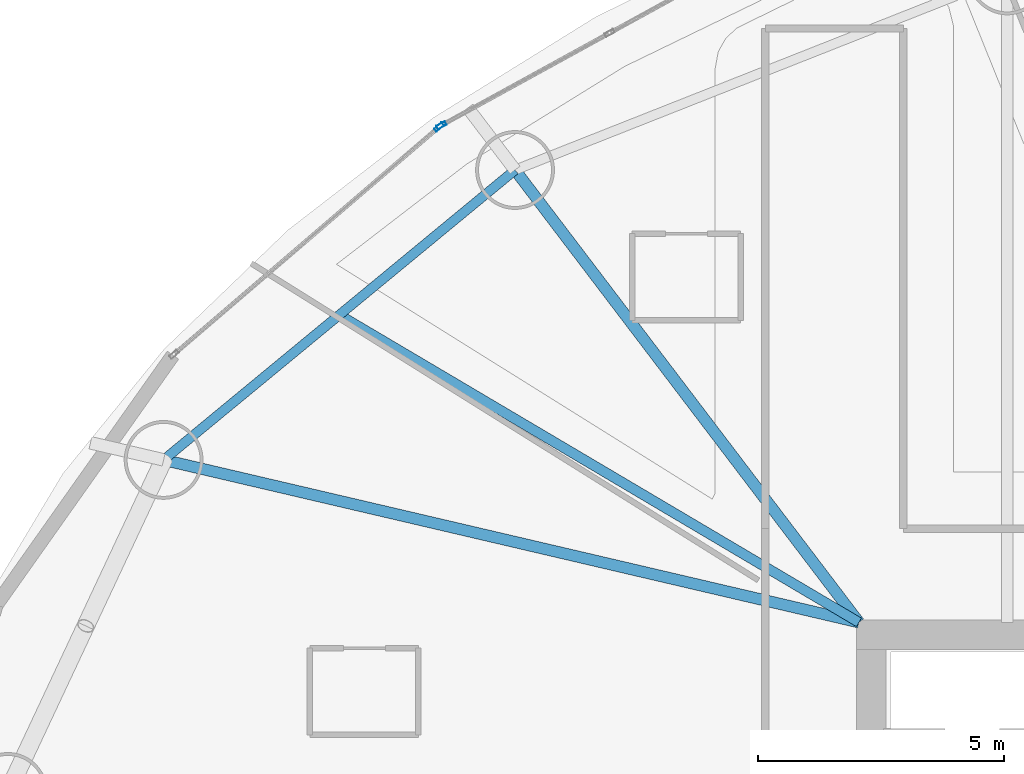
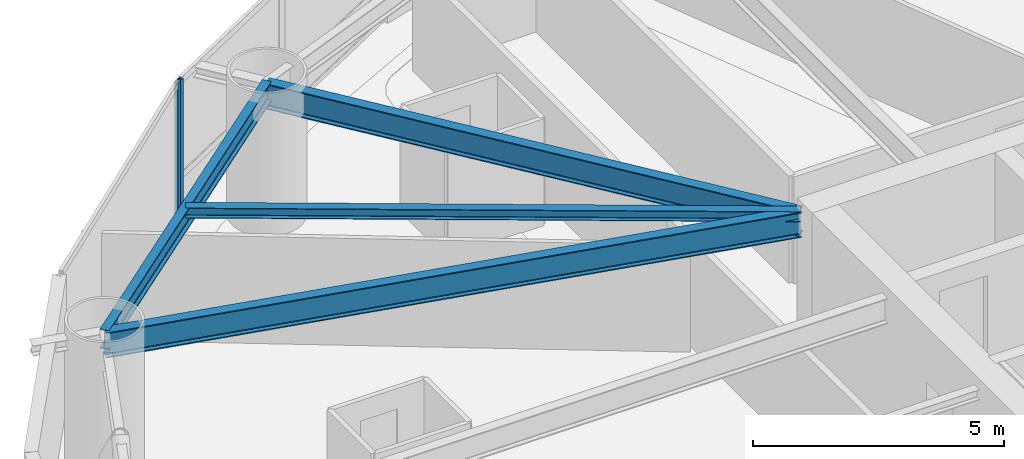
# One storey, part 14 of 25: 4 beams, 2 members, 2 elements without a shape of their own.
"""IFC4 building model written with IfcOpenShell, lengths in metres."""

from ifc_helpers import new_model, si_unit, direction, frame, origin, origin_2d, place, context, subcontext, project, spatial, hollow_rectangle, i_section, extrude, material, layer, layer_set, material_profile, profile_set, type_object, element, aggregate, save


model = new_model("IFC4")

# Units and contexts
model_context = context("Model", 3, precision=1e-05, world=origin(), true_north=direction((0.0, 1.0)))
body_context = subcontext(model_context, "Body", "Model", "MODEL_VIEW")
ifc_project = project(units=[si_unit("LENGTHUNIT", "METRE"), si_unit("AREAUNIT", "SQUARE_METRE"), si_unit("VOLUMEUNIT", "CUBIC_METRE"), si_unit("PLANEANGLEUNIT", "RADIAN"), si_unit("MASSUNIT", "GRAM", prefix="KILO")], contexts=[model_context])

# Site, building, storey
site_placement = place(None, origin())
site = spatial("IfcSite", under=ifc_project, at=site_placement, CompositionType="ELEMENT")
building_placement = place(site_placement, origin())
building = spatial("IfcBuilding", under=site, at=building_placement, Name="Bramvorn Convention Spire", CompositionType="ELEMENT")
storey_placement = place(building_placement, frame((0.0, 0.0, 55.39990234375)))
storey = spatial("IfcBuildingStorey", under=building, at=storey_placement, Name="L11", CompositionType="ELEMENT", Elevation=55.39990234375)

# Beams
ifc_material_1 = material(Name="Steel CSA G40.21 Grade 350 (350W)", Category="steel")
ifc_material_profile_1 = material_profile(ifc_material_1, i_section(OverallWidth=0.201904296875, OverallDepth=0.2470703125, WebThickness=0.00732421875, FlangeThickness=0.010986328125, FilletRadius=0.011962890625, at=origin_2d()))
ifc_profile_set_1 = profile_set([ifc_material_profile_1], Name="Steel CSA G40.21 Grade 350 (350W) - W250X49")
beam_type_1 = type_object("IfcBeamType", Name="BM-W250X49", PredefinedType="JOIST", material=ifc_profile_set_1)
beam_1_placement = place(storey_placement, frame((26.75, 33.449951171875, 3.126708984375), z_axis=(-0.860664556648, 0.509172388223, 0.0), x_axis=(-0.509172388223, -0.860664556648, 0.0)))
element("IfcBeam", 1, at=beam_1_placement, inside=storey, type_object=beam_type_1, Name="L11 composite floor joist 07", PredefinedType="JOIST", context=body_context, shape_type="SweptSolid", body=[
    extrude(i_section(OverallWidth=0.201904296875, OverallDepth=0.2470703125, WebThickness=0.00732421875, FlangeThickness=0.010986328125, FilletRadius=0.011962890625, at=origin_2d()), origin(), (0.0, 0.0, 1.0), 12.25048828125),
])
ifc_material_profile_2 = material_profile(ifc_material_1, i_section(OverallWidth=0.194091796875, OverallDepth=0.468994140625, WebThickness=0.0126953125, FlangeThickness=0.0205078125, FilletRadius=0.01806640625, at=origin_2d()))
ifc_profile_set_2 = profile_set([ifc_material_profile_2], Name="Steel CSA G40.21 Grade 350 (350W) - W460X106")
beam_type_2 = type_object("IfcBeamType", Name="BM-W460X106", PredefinedType="SPANDREL", material=ifc_profile_set_2)
beam_2_placement = place(storey_placement, frame((19.772216796875, 42.628662109375, 3.015625), z_axis=(-0.771417680101, -0.636329130896, 0.0), x_axis=(0.636329130896, -0.771417680101, 0.0)))
element("IfcBeam", 2, at=beam_2_placement, inside=storey, type_object=beam_type_2, Name="L11 mega-column ring beam 07", PredefinedType="SPANDREL", context=body_context, shape_type="SweptSolid", body=[
    extrude(i_section(OverallWidth=0.194091796875, OverallDepth=0.468994140625, WebThickness=0.0126953125, FlangeThickness=0.0205078125, FilletRadius=0.01806640625, at=origin_2d()), origin(), (0.0, 0.0, 1.0), 9.244140625),
])
ifc_material_profile_3 = material_profile(ifc_material_1, i_section(OverallWidth=0.22998046875, OverallDepth=0.616943359375, WebThickness=0.01318359375, FlangeThickness=0.022216796875, FilletRadius=0.02001953125, at=origin_2d()))
ifc_profile_set_3 = profile_set([ifc_material_profile_3], Name="Steel CSA G40.21 Grade 350 (350W) - W610X140")
beam_type_3 = type_object("IfcBeamType", Name="BM-W610X140", PredefinedType="BEAM", material=ifc_profile_set_3)
beam_3_placement = place(storey_placement, frame((26.75, 33.449951171875, 2.941650390625), z_axis=(-0.605191175112, 0.796080172826, 0.0), x_axis=(-0.796080172826, -0.605191175112, 0.0)))
element("IfcBeam", 3, at=beam_3_placement, inside=storey, type_object=beam_type_3, Name="L11 radial floor girder MC07", PredefinedType="BEAM", context=body_context, shape_type="SweptSolid", body=[
    extrude(i_section(OverallWidth=0.22998046875, OverallDepth=0.616943359375, WebThickness=0.01318359375, FlangeThickness=0.022216796875, FilletRadius=0.02001953125, at=origin_2d()), origin(), (0.0, 0.0, 1.0), 11.52978515625),
])
beam_4_placement = place(storey_placement, frame((26.75, 33.449951171875, 2.941650390625), z_axis=(-0.973775294862, 0.227511923018, 0.0), x_axis=(-0.227511923018, -0.973775294862, 0.0)))
element("IfcBeam", 4, at=beam_4_placement, inside=storey, type_object=beam_type_3, Name="L11 radial floor girder MC08", PredefinedType="BEAM", context=body_context, shape_type="SweptSolid", body=[
    extrude(i_section(OverallWidth=0.22998046875, OverallDepth=0.616943359375, WebThickness=0.01318359375, FlangeThickness=0.022216796875, FilletRadius=0.02001953125, at=origin_2d()), origin(), (0.0, 0.0, 1.0), 14.48876953125),
])

# Curtain wall, member
ifc_material_2 = material(Name="Anodised Bronze Unitised Curtain Wall", Category="aluminium")
ifc_layer = layer(ifc_material_2, 0.179931640625)
ifc_layer_set = layer_set([ifc_layer], Name="Anodised Bronze Unitised Curtain Wall - CW-HTL-FRIT")
curtain_wall_type = type_object("IfcCurtainWallType", Name="CW-HTL-FRIT", PredefinedType="USERDEFINED", material=ifc_layer_set)
curtain_wall_1_placement = place(storey_placement, origin())
curtain_wall_1 = element("IfcCurtainWall", 5, at=curtain_wall_1_placement, inside=storey, type_object=curtain_wall_type, Name="L11 fritted glass curtain wall 09", ObjectType="UNITISED CURTAIN WALL", PredefinedType="USERDEFINED")
ifc_material_3 = material(Name="Anodised Bronze Aluminium 6063-T6", Category="aluminium")
ifc_material_profile_4 = material_profile(ifc_material_3, hollow_rectangle(XDim=0.080078125, YDim=0.199951171875, WallThickness=0.00390625, InnerFilletRadius=0.0009765625, OuterFilletRadius=0.00390625, at=origin_2d()))
ifc_profile_set_4 = profile_set([ifc_material_profile_4], Name="Anodised Bronze Aluminium 6063-T6 - CWM80X200")
member_type = type_object("IfcMemberType", Name="CW-MUL-180", PredefinedType="MULLION", material=ifc_profile_set_4)
member_1_placement = place(storey_placement, frame((18.27880859375, 43.534912109375, 0.0), z_axis=(0.0, 0.0, 1.0), x_axis=(-0.481254586999, 0.87658087048, 0.0)))
member_1 = element("IfcMember", 6, at=member_1_placement, type_object=member_type, Name="CW2 mullion 1", PredefinedType="MULLION", context=body_context, shape_type="SweptSolid", body=[
    extrude(hollow_rectangle(XDim=0.080078125, YDim=0.199951171875, WallThickness=0.00390625, InnerFilletRadius=0.0009765625, OuterFilletRadius=0.00390625, at=origin_2d()), origin(), (0.0, 0.0, 1.0), 3.25),
])
aggregate(curtain_wall_1, [member_1])

curtain_wall_2_placement = place(storey_placement, origin())
curtain_wall_2 = element("IfcCurtainWall", 7, at=curtain_wall_2_placement, inside=storey, type_object=curtain_wall_type, Name="L11 fritted glass curtain wall 10", ObjectType="UNITISED CURTAIN WALL", PredefinedType="USERDEFINED")
member_2_placement = place(storey_placement, frame((18.229736328125, 43.5009765625, 0.0), z_axis=(0.0, 0.0, 1.0), x_axis=(-0.650945854546, 0.759124162736, 0.0)))
member_2 = element("IfcMember", 8, at=member_2_placement, type_object=member_type, Name="CW2 mullion 2", PredefinedType="MULLION", context=body_context, shape_type="SweptSolid", body=[
    extrude(hollow_rectangle(XDim=0.080078125, YDim=0.199951171875, WallThickness=0.00390625, InnerFilletRadius=0.0009765625, OuterFilletRadius=0.00390625, at=origin_2d()), origin(), (0.0, 0.0, 1.0), 3.25),
])
aggregate(curtain_wall_2, [member_2])

save(model, "model.ifc")
